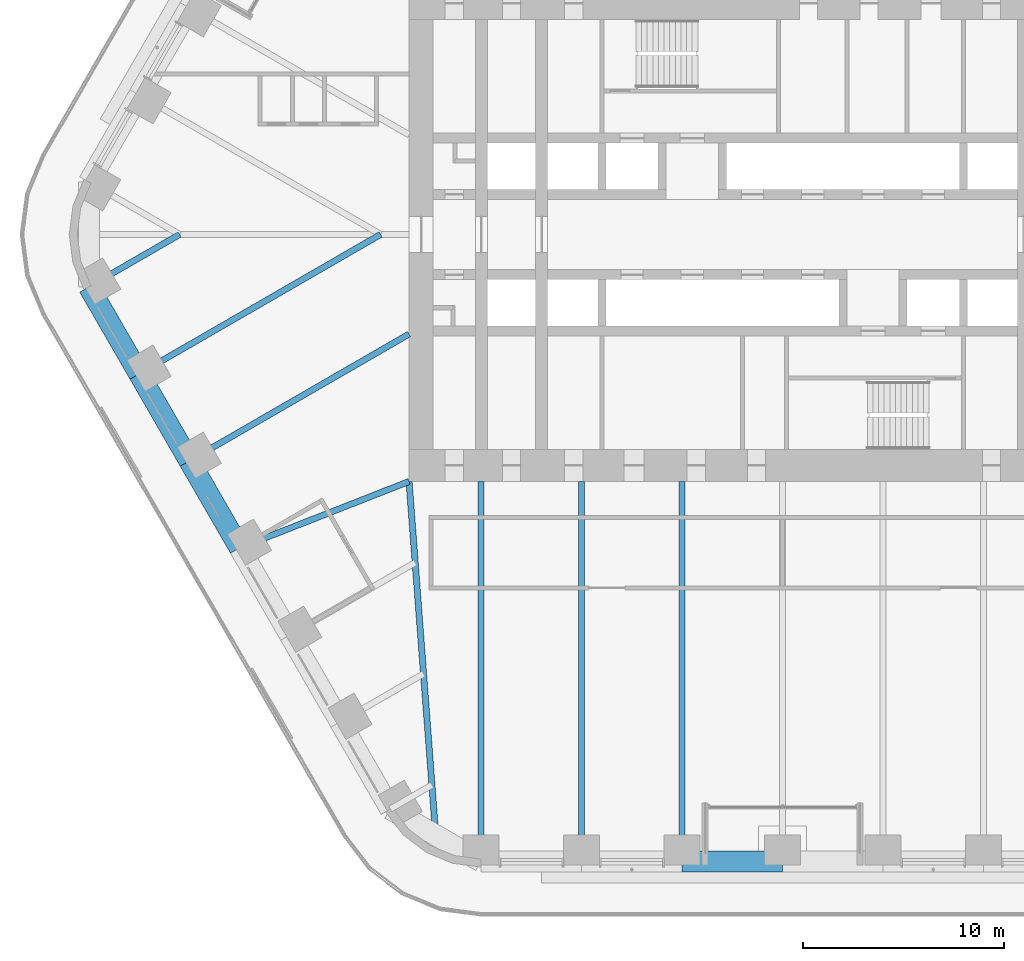
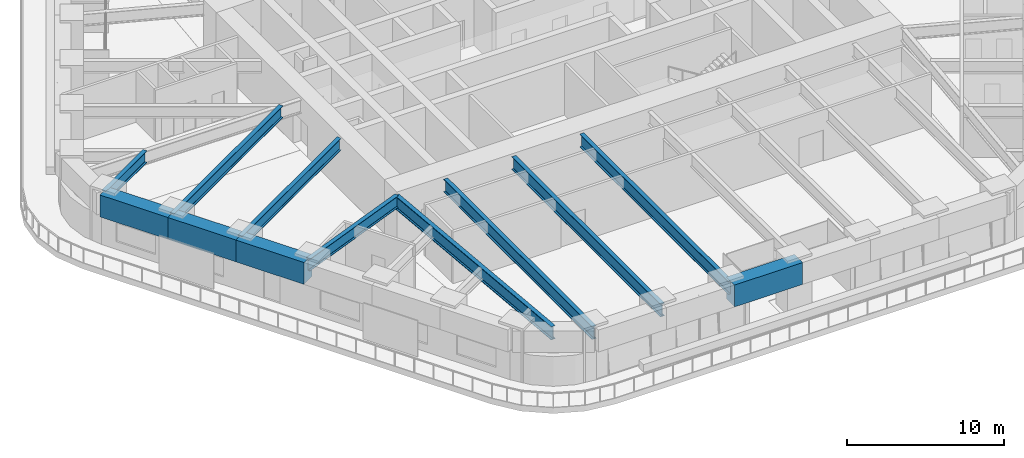
# One storey, part 3 of 24: 12 beams.
"""IFC4 building model written with IfcOpenShell, lengths in metres."""

from ifc_helpers import new_model, si_unit, direction, frame, origin, origin_2d, place, context, subcontext, project, spatial, rectangle, i_section, extrude, material, material_profile, profile_set, type_object, element, save


model = new_model("IFC4")

# Units and contexts
model_context = context("Model", 3, precision=1e-05, world=origin(), true_north=direction((0.0, 1.0)))
body_context = subcontext(model_context, "Body", "Model", "MODEL_VIEW")
ifc_project = project(units=[si_unit("LENGTHUNIT", "METRE"), si_unit("AREAUNIT", "SQUARE_METRE"), si_unit("VOLUMEUNIT", "CUBIC_METRE"), si_unit("PLANEANGLEUNIT", "RADIAN"), si_unit("MASSUNIT", "GRAM", prefix="KILO")], contexts=[model_context])

# Site, building, storey
site_placement = place(None, origin())
site = spatial("IfcSite", under=ifc_project, at=site_placement, CompositionType="ELEMENT")
building_placement = place(site_placement, origin())
building = spatial("IfcBuilding", under=site, at=building_placement, Name="Tarfa Lantern Tower", CompositionType="ELEMENT")
storey_placement = place(building_placement, frame((0.0, 0.0, 132.10009765625)))
storey = spatial("IfcBuildingStorey", under=building, at=storey_placement, Name="L29", CompositionType="ELEMENT", Elevation=132.10009765625)

# Beams
ifc_material_1 = material(Name="Concrete C80/95", Category="concrete")
ifc_material_profile_1 = material_profile(ifc_material_1, rectangle(XDim=1.050048828125, YDim=1.699951171875, at=origin_2d()), Name="RC 1050x1700")
ifc_profile_set_1 = profile_set([ifc_material_profile_1], Name="Concrete C80/95")
beam_type_1 = type_object("IfcBeamType", Name="RB2 RC 1050x1700", PredefinedType="BEAM", material=ifc_profile_set_1)
for number, where, z_axis, x_axis, name in (
    (1, (-34.54296875, -2.610107421875, 3.14990234375), (0.500022324899, -0.866012514114, 0.0), (0.866012514114, 0.500022324899, 0.0), "Edge beam SW0"),
    (2, (-32.041015625, -6.943359375, 3.14990234375), (0.500022324899, -0.866012514114, 0.0), (0.866012514114, 0.500022324899, 0.0), "Edge beam SW1"),
    (3, (-29.5390625, -11.276611328125, 3.14990234375), (0.499964603504, -0.866045838996, 0.0), (0.866045838996, 0.499964603504, 0.0), "Edge beam SW2"),
    (4, (-5.003662109375, -31.219970703125, 3.14990234375), (1.0, 0.0, 0.0), (0.0, 1.0, 0.0), "Edge beam S2"),
):
    element("IfcBeam", number, at=place(storey_placement, frame(where, z_axis=z_axis, x_axis=x_axis)), inside=storey, type_object=beam_type_1, Name=name, PredefinedType="BEAM", context=body_context, shape_type="SweptSolid", body=[
        extrude(rectangle(XDim=1.050048828125, YDim=1.699951171875, at=origin_2d()), origin(), (0.0, 0.0, 1.0), 5.003662109375),
    ])
ifc_material_2 = material(Name="Steel S460M", Category="steel")
ifc_material_profile_2 = material_profile(ifc_material_2, i_section(OverallWidth=0.302001953125, OverallDepth=1.008056640625, WebThickness=0.02099609375, FlangeThickness=0.0400390625, FilletRadius=0.030029296875, at=origin_2d()), Name="UB1016x305x349")
ifc_profile_set_2 = profile_set([ifc_material_profile_2], Name="Steel S460M")
beam_type_2 = type_object("IfcBeamType", Name="UB1016x305x349", PredefinedType="BEAM", material=ifc_profile_set_2)
for number, where, z_axis, x_axis, name in (
    (5, (-15.010986328125, -31.219970703125, 3.495849609375), (0.0, 1.0, 0.0), (-1.0, 0.0, 0.0), "Floor beam S0"),
    (6, (-10.00732421875, -31.219970703125, 3.495849609375), (0.0, 1.0, 0.0), (-1.0, 0.0, 0.0), "Floor beam S1"),
    (7, (-5.003662109375, -31.219970703125, 3.495849609375), (0.0, 1.0, 0.0), (-1.0, 0.0, 0.0), "Floor beam S2"),
):
    element("IfcBeam", number, at=place(storey_placement, frame(where, z_axis=z_axis, x_axis=x_axis)), inside=storey, type_object=beam_type_2, Name=name, PredefinedType="BEAM", context=body_context, shape_type="SweptSolid", body=[
        extrude(i_section(OverallWidth=0.302001953125, OverallDepth=1.008056640625, WebThickness=0.02099609375, FlangeThickness=0.0400390625, FilletRadius=0.030029296875, at=origin_2d()), origin(), (0.0, 0.0, 1.0), 18.919921875),
    ])
ifc_material_profile_3 = material_profile(ifc_material_2, i_section(OverallWidth=0.30859375, OverallDepth=1.036376953125, WebThickness=0.030029296875, FlangeThickness=0.05419921875, FilletRadius=0.030029296875, at=origin_2d()), Name="UB1016x305x487")
ifc_profile_set_3 = profile_set([ifc_material_profile_3], Name="Steel S460M")
beam_type_3 = type_object("IfcBeamType", Name="UB1016x305x487", PredefinedType="BEAM", material=ifc_profile_set_3)
beam_1_placement = place(storey_placement, frame((-18.60009765625, -12.300048828125, 3.481689453125), z_axis=(0.075211516041, -0.99716760269, 0.0), x_axis=(0.99716760269, 0.075211516041, 0.0)))
element("IfcBeam", 8, at=beam_1_placement, inside=storey, type_object=beam_type_3, Name="Hip girder SW", PredefinedType="BEAM", context=body_context, shape_type="SweptSolid", body=[
    extrude(i_section(OverallWidth=0.30859375, OverallDepth=1.036376953125, WebThickness=0.030029296875, FlangeThickness=0.05419921875, FilletRadius=0.030029296875, at=origin_2d()), origin(), (0.0, 0.0, 1.0), 17.6650390625),
])
ifc_material_profile_4 = material_profile(ifc_material_2, i_section(OverallWidth=0.305419921875, OverallDepth=0.91845703125, WebThickness=0.017333984375, FlangeThickness=0.02783203125, FilletRadius=0.01904296875, at=origin_2d()), Name="UB914x305x253")
ifc_profile_set_4 = profile_set([ifc_material_profile_4], Name="Steel S460M")
beam_type_4 = type_object("IfcBeamType", Name="UB914x305x253", PredefinedType="BEAM", material=ifc_profile_set_4)
beam_2_placement = place(storey_placement, frame((-34.54296875, -2.610107421875, 3.540771484375), z_axis=(0.866021250859, 0.500007193008, 0.0), x_axis=(-0.500007193008, 0.866021250859, 0.0)))
element("IfcBeam", 9, at=beam_2_placement, inside=storey, type_object=beam_type_4, Name="Floor beam SW0", PredefinedType="BEAM", context=body_context, shape_type="SweptSolid", body=[
    extrude(i_section(OverallWidth=0.305419921875, OverallDepth=0.91845703125, WebThickness=0.017333984375, FlangeThickness=0.02783203125, FilletRadius=0.01904296875, at=origin_2d()), origin(), (0.0, 0.0, 1.0), 5.22021484375),
])
beam_3_placement = place(storey_placement, frame((-32.041015625, -6.943359375, 3.540771484375), z_axis=(0.866023096411, 0.500003996466, 0.0), x_axis=(-0.500003996466, 0.866023096411, 0.0)))
element("IfcBeam", 10, at=beam_3_placement, inside=storey, type_object=beam_type_4, Name="Floor beam SW1", PredefinedType="BEAM", context=body_context, shape_type="SweptSolid", body=[
    extrude(i_section(OverallWidth=0.305419921875, OverallDepth=0.91845703125, WebThickness=0.017333984375, FlangeThickness=0.02783203125, FilletRadius=0.01904296875, at=origin_2d()), origin(), (0.0, 0.0, 1.0), 13.88671875),
])
beam_4_placement = place(storey_placement, frame((-29.5390625, -11.276611328125, 3.540771484375), z_axis=(0.866023362995, 0.500003534735, 0.0), x_axis=(-0.500003534735, 0.866023362995, 0.0)))
element("IfcBeam", 11, at=beam_4_placement, inside=storey, type_object=beam_type_4, Name="Floor beam SW2", PredefinedType="BEAM", context=body_context, shape_type="SweptSolid", body=[
    extrude(i_section(OverallWidth=0.305419921875, OverallDepth=0.91845703125, WebThickness=0.017333984375, FlangeThickness=0.02783203125, FilletRadius=0.01904296875, at=origin_2d()), origin(), (0.0, 0.0, 1.0), 12.63134765625),
])
beam_5_placement = place(storey_placement, frame((-27.037353515625, -15.610107421875, 3.540771484375), z_axis=(0.930923282782, 0.365214788274, 0.0), x_axis=(-0.365214788274, 0.930923282782, 0.0)))
element("IfcBeam", 12, at=beam_5_placement, inside=storey, type_object=beam_type_4, Name="Floor beam SW3", PredefinedType="BEAM", context=body_context, shape_type="SweptSolid", body=[
    extrude(i_section(OverallWidth=0.305419921875, OverallDepth=0.91845703125, WebThickness=0.017333984375, FlangeThickness=0.02783203125, FilletRadius=0.01904296875, at=origin_2d()), origin(), (0.0, 0.0, 1.0), 9.063232421875),
])

save(model, "model.ifc")
